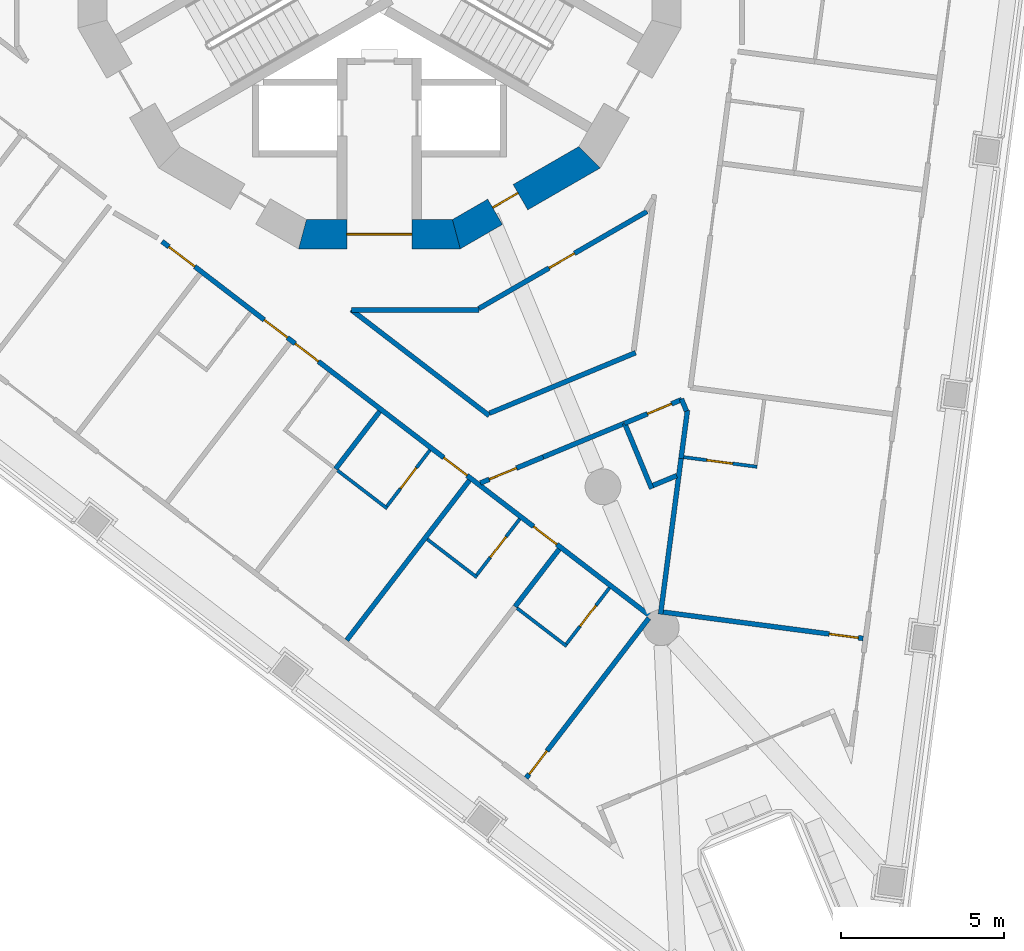
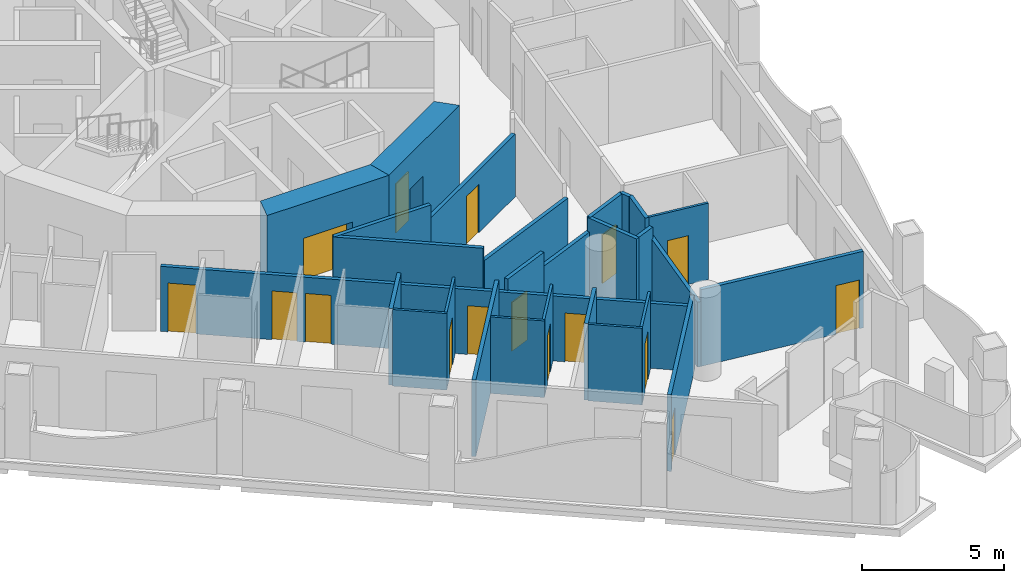
# One storey, part 4 of 17: 27 walls, 16 doors, 16 openings.
"""IFC4 building model written with IfcOpenShell, lengths in metres."""

from ifc_helpers import new_model, si_unit, direction, frame, frame_2d, origin, place, context, subcontext, project, spatial, polyline, rectangle, outline, extrude, material, layer, layer_set, type_object, element, fill, save


model = new_model("IFC4")

# Units and contexts
model_context = context("Model", 3, precision=1e-05, world=origin(), true_north=direction((0.0, 1.0)))
body_context = subcontext(model_context, "Body", "Model", "MODEL_VIEW")
ifc_project = project(units=[si_unit("LENGTHUNIT", "METRE"), si_unit("AREAUNIT", "SQUARE_METRE"), si_unit("VOLUMEUNIT", "CUBIC_METRE"), si_unit("PLANEANGLEUNIT", "RADIAN"), si_unit("MASSUNIT", "GRAM", prefix="KILO")], contexts=[model_context])

# Site, building, storey
site_placement = place(None, origin())
site = spatial("IfcSite", under=ifc_project, at=site_placement, CompositionType="ELEMENT")
building_placement = place(site_placement, origin())
building = spatial("IfcBuilding", under=site, at=building_placement, Name="Trine Commons Tower", CompositionType="ELEMENT")
storey_placement = place(building_placement, frame((0.0, 0.0, 149.39990234375)))
storey = spatial("IfcBuildingStorey", under=building, at=storey_placement, Name="L38", CompositionType="ELEMENT", Elevation=149.39990234375)

# Wall, opening, door
ifc_material_1 = material(Name="Concrete C70/85", Category="concrete")
ifc_layer_1 = layer(ifc_material_1, 0.89990234375)
ifc_layer_set_1 = layer_set([ifc_layer_1], Name="Concrete C70/85")
wall_type_1 = type_object("IfcWallType", Name="RC shear wall 900 mm, C70/85", PredefinedType="SHEAR", material=ifc_layer_set_1)
wall_1_placement = place(storey_placement, frame((77.515380859375, 53.677001953125, 0.0), z_axis=(0.0, 0.0, 1.0), x_axis=(1.0, 0.0, 0.0)))
wall_1 = element("IfcWall", 1, at=wall_1_placement, inside=storey, type_object=wall_type_1, Name="Core wall CWD-10 L38", PredefinedType="SHEAR", context=body_context, shape_type="SweptSolid", body=[
    extrude(outline(polyline([(0.0, -0.449951171875), (4.969482421875, -0.449951171875), (4.728271484375, 0.449951171875), (0.2412109375, 0.449951171875), (0.0, -0.449951171875)])), origin(), (0.0, 0.0, 1.0), 3.60009765625),
])
opening_1_placement = place(wall_1_placement, frame((1.484619140625, 0.0, 0.0)))
opening_1 = element("IfcOpeningElement", 2, at=opening_1_placement, cuts=wall_1, Name="Opening K09.08", PredefinedType="OPENING", context=body_context, shape_type="SweptSolid", body=[
    extrude(rectangle(XDim=2.0, YDim=2.10009765625, at=frame_2d((1.0, 1.050048828125))), frame((0.0, 0.4599609375, 0.0), z_axis=(0.0, -1.0, 0.0), x_axis=(1.0, 0.0, 0.0)), (0.0, 0.0, 1.0), 0.919921875),
])
ifc_material_2 = material(Name="Steel door leaves, fire-rated", Category="steel")
door_type_1 = type_object("IfcDoorType", Name="Lobby door, double leaf 2000 x 2100, FD60", OperationType="DOUBLE_DOOR_SINGLE_SWING", PredefinedType="DOOR", material=ifc_material_2)
door_1_placement = place(opening_1_placement, origin())
door_1 = element("IfcDoor", 3, at=door_1_placement, inside=storey, type_object=door_type_1, Name="Lobby door, Service and firefighting lobby L38", OperationType="DOUBLE_DOOR_SINGLE_SWING", OverallHeight=2.10009765625, OverallWidth=2.0, PredefinedType="DOOR", context=body_context, shape_type="SweptSolid", body=[
    extrude(rectangle(XDim=2.0, YDim=2.10009765625, at=frame_2d((1.0, 1.050048828125))), frame((0.0, 0.02490234375, 0.0), z_axis=(0.0, -1.0, 0.0), x_axis=(1.0, 0.0, 0.0)), (0.0, 0.0, 1.0), 0.050048828125),
])
fill(opening_1, door_1)

wall_2_placement = place(storey_placement, frame((82.259765625, 53.61669921875, 0.0), z_axis=(0.0, 0.0, 1.0), x_axis=(0.866003133579, 0.500038571144, 0.0)))
wall_2 = element("IfcWall", 4, at=wall_2_placement, inside=storey, type_object=wall_type_1, Name="Core wall CWD-11 L38", PredefinedType="SHEAR", context=body_context, shape_type="SweptSolid", body=[
    extrude(outline(polyline([(0.0, -0.449951171875), (4.96923828125, -0.449951171875), (4.72802734375, 0.449951171875), (0.2412109375, 0.449951171875), (0.0, -0.449951171875)])), origin(), (0.0, 0.0, 1.0), 3.60009765625),
])
opening_2_placement = place(wall_2_placement, frame((1.4951171875, 0.0, 0.0)))
opening_2 = element("IfcOpeningElement", 5, at=opening_2_placement, cuts=wall_2, Name="Opening K09.15", PredefinedType="OPENING", context=body_context, shape_type="SweptSolid", body=[
    extrude(rectangle(XDim=0.89990234375, YDim=2.10009765625, at=frame_2d((0.449951171875, 1.050048828125))), frame((0.0, 0.4599609375, 0.0), z_axis=(0.0, -1.0, 0.0), x_axis=(1.0, 0.0, 0.0)), (0.0, 0.0, 1.0), 0.919921875),
])
ifc_material_3 = material(Name="Steel door leaf, fire-rated", Category="steel")
door_type_2 = type_object("IfcDoorType", Name="Core room door, single leaf 900 x 2100, FD30S", OperationType="SINGLE_SWING_LEFT", PredefinedType="DOOR", material=ifc_material_3)
door_2_placement = place(opening_2_placement, origin())
door_2 = element("IfcDoor", 6, at=door_2_placement, inside=storey, type_object=door_type_2, Name="Door to Accessible WC L38", OperationType="SINGLE_SWING_LEFT", OverallHeight=2.10009765625, OverallWidth=0.89990234375, PredefinedType="DOOR", context=body_context, shape_type="SweptSolid", body=[
    extrude(rectangle(XDim=0.89990234375, YDim=2.10009765625, at=frame_2d((0.449951171875, 1.050048828125))), frame((0.0, 0.1748046875, 0.0), z_axis=(0.0, -1.0, 0.0), x_axis=(1.0, 0.0, 0.0)), (0.0, 0.0, 1.0), 0.050048828125),
])
fill(opening_2, door_2)

# Wall, openings, doors
ifc_material_4 = material(Name="Gypsum plasterboard on steel stud", Category="steel")
ifc_layer_2 = layer(ifc_material_4, 0.14990234375)
ifc_layer_set_2 = layer_set([ifc_layer_2], Name="Gypsum plasterboard on steel stud")
wall_type_2 = type_object("IfcWallType", Name="Unit and corridor wall 150 mm, EI 60", PredefinedType="PARTITIONING", material=ifc_layer_set_2)
wall_3_placement = place(storey_placement, frame((73.318115234375, 53.4541015625, 0.0), z_axis=(0.0, 0.0, 1.0), x_axis=(0.793337765411, -0.60878172605, 0.0)))
wall_3 = element("IfcWall", 7, at=wall_3_placement, inside=storey, type_object=wall_type_2, Name="Partition 055", PredefinedType="PARTITIONING", context=body_context, shape_type="SweptSolid", body=[
    extrude(rectangle(XDim=18.994873046875, YDim=0.14990234375, at=frame_2d((9.49755859375, 0.0))), origin(), (0.0, 0.0, 1.0), 2.800048828125),
])
opening_3_placement = place(wall_3_placement, frame((14.39306640625, 0.0, 0.0)))
opening_3 = element("IfcOpeningElement", 8, at=opening_3_placement, cuts=wall_3, Name="Opening D-4C23", PredefinedType="OPENING", context=body_context, shape_type="SweptSolid", body=[
    extrude(rectangle(XDim=0.89990234375, YDim=2.10009765625, at=frame_2d((0.449951171875, 1.050048828125))), frame((0.0, 0.0849609375, 0.0), z_axis=(0.0, -1.0, 0.0), x_axis=(1.0, 0.0, 0.0)), (0.0, 0.0, 1.0), 0.169921875),
])
opening_4_placement = place(wall_3_placement, frame((10.91552734375, 0.0, 0.0)))
opening_4 = element("IfcOpeningElement", 9, at=opening_4_placement, cuts=wall_3, Name="Opening D-4C24", PredefinedType="OPENING", context=body_context, shape_type="SweptSolid", body=[
    extrude(rectangle(XDim=0.89990234375, YDim=2.10009765625, at=frame_2d((0.449951171875, 1.050048828125))), frame((0.0, 0.0849609375, 0.0), z_axis=(0.0, -1.0, 0.0), x_axis=(1.0, 0.0, 0.0)), (0.0, 0.0, 1.0), 0.169921875),
])
opening_5_placement = place(wall_3_placement, frame((5.160400390625, 0.0, 0.0)))
opening_5 = element("IfcOpeningElement", 10, at=opening_5_placement, cuts=wall_3, Name="Opening D-4C25", PredefinedType="OPENING", context=body_context, shape_type="SweptSolid", body=[
    extrude(rectangle(XDim=0.89990234375, YDim=2.10009765625, at=frame_2d((0.449951171875, 1.050048828125))), frame((0.0, 0.0849609375, 0.0), z_axis=(0.0, -1.0, 0.0), x_axis=(1.0, 0.0, 0.0)), (0.0, 0.0, 1.0), 0.169921875),
])
opening_6_placement = place(wall_3_placement, frame((3.960205078125, 0.0, 0.0)))
opening_6 = element("IfcOpeningElement", 11, at=opening_6_placement, cuts=wall_3, Name="Opening D-4C26", PredefinedType="OPENING", context=body_context, shape_type="SweptSolid", body=[
    extrude(rectangle(XDim=0.89990234375, YDim=2.10009765625, at=frame_2d((0.449951171875, 1.050048828125))), frame((0.0, 0.0849609375, 0.0), z_axis=(0.0, -1.0, 0.0), x_axis=(1.0, 0.0, 0.0)), (0.0, 0.0, 1.0), 0.169921875),
])
opening_7_placement = place(wall_3_placement, frame((0.266357421875, 0.0, 0.0)))
opening_7 = element("IfcOpeningElement", 12, at=opening_7_placement, cuts=wall_3, Name="Opening D-4C27", PredefinedType="OPENING", context=body_context, shape_type="SweptSolid", body=[
    extrude(rectangle(XDim=1.0, YDim=2.10009765625, at=frame_2d((0.5, 1.050048828125))), frame((0.0, 0.0849609375, 0.0), z_axis=(0.0, -1.0, 0.0), x_axis=(1.0, 0.0, 0.0)), (0.0, 0.0, 1.0), 0.169921875),
])
ifc_material_5 = material(Name="Painted timber", Category="wood")
door_type_3 = type_object("IfcDoorType", Name="Amenity room door 1000 x 2100, NOT RATED", OperationType="NOTDEFINED", PredefinedType="DOOR", material=ifc_material_5)
door_3_placement = place(opening_7_placement, frame((1.0, 0.0, 0.0), z_axis=(0.0, 0.0, 1.0), x_axis=(-1.0, 0.0, 0.0)))
door_3 = element("IfcDoor", 13, at=door_3_placement, inside=storey, type_object=door_type_3, Name="Door D-4C27", OperationType="SINGLE_SWING_RIGHT", OverallHeight=2.10009765625, OverallWidth=1.0, PredefinedType="DOOR", context=body_context, shape_type="SweptSolid", body=[
    extrude(rectangle(XDim=1.0, YDim=2.10009765625, at=frame_2d((0.5, 1.050048828125))), frame((0.0, 0.02490234375, 0.0), z_axis=(0.0, -1.0, 0.0), x_axis=(1.0, 0.0, 0.0)), (0.0, 0.0, 1.0), 0.050048828125),
])
fill(opening_7, door_3)
ifc_material_6 = material(Name="Timber fire door set", Category="wood")
door_type_4 = type_object("IfcDoorType", Name="Bedroom door 900 x 2100, FD30S", OperationType="NOTDEFINED", PredefinedType="DOOR", material=ifc_material_6)
door_4_placement = place(opening_3_placement, frame((0.89990234375, 0.0, 0.0), z_axis=(0.0, 0.0, 1.0), x_axis=(-1.0, 0.0, 0.0)))
door_4 = element("IfcDoor", 14, at=door_4_placement, inside=storey, type_object=door_type_4, Name="Door D-4C23", OperationType="SINGLE_SWING_LEFT", OverallHeight=2.10009765625, OverallWidth=0.89990234375, PredefinedType="DOOR", context=body_context, shape_type="SweptSolid", body=[
    extrude(rectangle(XDim=0.89990234375, YDim=2.10009765625, at=frame_2d((0.449951171875, 1.050048828125))), frame((0.0, 0.02490234375, 0.0), z_axis=(0.0, -1.0, 0.0), x_axis=(1.0, 0.0, 0.0)), (0.0, 0.0, 1.0), 0.050048828125),
])
fill(opening_3, door_4)
door_5_placement = place(opening_4_placement, frame((0.89990234375, 0.0, 0.0), z_axis=(0.0, 0.0, 1.0), x_axis=(-1.0, 0.0, 0.0)))
door_5 = element("IfcDoor", 15, at=door_5_placement, inside=storey, type_object=door_type_4, Name="Door D-4C24", OperationType="SINGLE_SWING_LEFT", OverallHeight=2.10009765625, OverallWidth=0.89990234375, PredefinedType="DOOR", context=body_context, shape_type="SweptSolid", body=[
    extrude(rectangle(XDim=0.89990234375, YDim=2.10009765625, at=frame_2d((0.449951171875, 1.050048828125))), frame((0.0, 0.02490234375, 0.0), z_axis=(0.0, -1.0, 0.0), x_axis=(1.0, 0.0, 0.0)), (0.0, 0.0, 1.0), 0.050048828125),
])
fill(opening_4, door_5)
door_6_placement = place(opening_5_placement, frame((0.89990234375, 0.0, 0.0), z_axis=(0.0, 0.0, 1.0), x_axis=(-1.0, 0.0, 0.0)))
door_6 = element("IfcDoor", 16, at=door_6_placement, inside=storey, type_object=door_type_4, Name="Door D-4C25", OperationType="SINGLE_SWING_RIGHT", OverallHeight=2.10009765625, OverallWidth=0.89990234375, PredefinedType="DOOR", context=body_context, shape_type="SweptSolid", body=[
    extrude(rectangle(XDim=0.89990234375, YDim=2.10009765625, at=frame_2d((0.449951171875, 1.050048828125))), frame((0.0, 0.02490234375, 0.0), z_axis=(0.0, -1.0, 0.0), x_axis=(1.0, 0.0, 0.0)), (0.0, 0.0, 1.0), 0.050048828125),
])
fill(opening_5, door_6)
door_7_placement = place(opening_6_placement, frame((0.89990234375, 0.0, 0.0), z_axis=(0.0, 0.0, 1.0), x_axis=(-1.0, 0.0, 0.0)))
door_7 = element("IfcDoor", 17, at=door_7_placement, inside=storey, type_object=door_type_4, Name="Door D-4C26", OperationType="SINGLE_SWING_RIGHT", OverallHeight=2.10009765625, OverallWidth=0.89990234375, PredefinedType="DOOR", context=body_context, shape_type="SweptSolid", body=[
    extrude(rectangle(XDim=0.89990234375, YDim=2.10009765625, at=frame_2d((0.449951171875, 1.050048828125))), frame((0.0, 0.02490234375, 0.0), z_axis=(0.0, -1.0, 0.0), x_axis=(1.0, 0.0, 0.0)), (0.0, 0.0, 1.0), 0.050048828125),
])
fill(opening_6, door_7)

# Walls
wall_4_placement = place(storey_placement, frame((78.652099609375, 46.4619140625, 0.0), z_axis=(0.0, 0.0, 1.0), x_axis=(0.608601979206, 0.793475664975, 0.0)))
element("IfcWall", 18, at=wall_4_placement, inside=storey, type_object=wall_type_2, Name="Partition 067", PredefinedType="PARTITIONING", context=body_context, shape_type="SweptSolid", body=[
    extrude(rectangle(XDim=2.22509765625, YDim=0.14990234375, at=frame_2d((1.112548828125, 0.0))), origin(), (0.0, 0.0, 1.0), 3.300048828125),
])
wall_5_placement = place(storey_placement, frame((78.994384765625, 41.19677734375, 0.0), z_axis=(0.0, 0.0, 1.0), x_axis=(0.608811285709, 0.79331508141, 0.0)))
element("IfcWall", 19, at=wall_5_placement, inside=storey, type_object=wall_type_2, Name="Partition 069", PredefinedType="PARTITIONING", context=body_context, shape_type="SweptSolid", body=[
    extrude(rectangle(XDim=6.194091796875, YDim=0.14990234375, at=frame_2d((3.09716796875, 0.0))), origin(), (0.0, 0.0, 1.0), 3.300048828125),
])
wall_6_placement = place(storey_placement, frame((79.134033203125, 51.35205078125, 0.0), z_axis=(0.0, 0.0, 1.0), x_axis=(1.0, 0.0, 0.0)))
element("IfcWall", 20, at=wall_6_placement, inside=storey, type_object=wall_type_2, Name="Partition 070", PredefinedType="PARTITIONING", context=body_context, shape_type="SweptSolid", body=[
    extrude(rectangle(XDim=3.927978515625, YDim=0.14990234375, at=frame_2d((1.9638671875, 0.0))), origin(), (0.0, 0.0, 1.0), 3.300048828125),
])
wall_7_placement = place(storey_placement, frame((79.137939453125, 51.35205078125, 0.0), z_axis=(0.0, 0.0, 1.0), x_axis=(0.793274409151, -0.608864280268, 0.0)))
element("IfcWall", 21, at=wall_7_placement, inside=storey, type_object=wall_type_2, Name="Partition 071", PredefinedType="PARTITIONING", context=body_context, shape_type="SweptSolid", body=[
    extrude(rectangle(XDim=5.340576171875, YDim=0.14990234375, at=frame_2d((2.67041015625, 0.0))), origin(), (0.0, 0.0, 1.0), 3.300048828125),
])

# Wall, opening, door
wall_8_placement = place(storey_placement, frame((83.052001953125, 51.389404296875, 0.0), z_axis=(0.0, 0.0, 1.0), x_axis=(0.866039280689, 0.499975963725, 0.0)))
wall_8 = element("IfcWall", 22, at=wall_8_placement, inside=storey, type_object=wall_type_2, Name="Partition 083", PredefinedType="PARTITIONING", context=body_context, shape_type="SweptSolid", body=[
    extrude(rectangle(XDim=5.974365234375, YDim=0.14990234375, at=frame_2d((2.9873046875, 0.0))), origin(), (0.0, 0.0, 1.0), 2.7001953125),
])
opening_8_placement = place(wall_8_placement, frame((2.499755859375, 0.0, 0.0)))
opening_8 = element("IfcOpeningElement", 23, at=opening_8_placement, cuts=wall_8, Name="Opening D-4C33", PredefinedType="OPENING", context=body_context, shape_type="SweptSolid", body=[
    extrude(rectangle(XDim=0.89990234375, YDim=2.10009765625, at=frame_2d((0.449951171875, 1.050048828125))), frame((0.0, 0.0849609375, 0.0), z_axis=(0.0, -1.0, 0.0), x_axis=(1.0, 0.0, 0.0)), (0.0, 0.0, 1.0), 0.169921875),
])
door_type_5 = type_object("IfcDoorType", Name="Service door 900 x 2100, FD30S", OperationType="NOTDEFINED", PredefinedType="DOOR", material=ifc_material_6)
door_8_placement = place(opening_8_placement, frame((0.89990234375, 0.0, 0.0), z_axis=(0.0, 0.0, 1.0), x_axis=(-1.0, 0.0, 0.0)))
door_8 = element("IfcDoor", 24, at=door_8_placement, inside=storey, type_object=door_type_5, Name="Door D-4C33", OperationType="SINGLE_SWING_RIGHT", OverallHeight=2.10009765625, OverallWidth=0.89990234375, PredefinedType="DOOR", context=body_context, shape_type="SweptSolid", body=[
    extrude(rectangle(XDim=0.89990234375, YDim=2.10009765625, at=frame_2d((0.449951171875, 1.050048828125))), frame((0.0, 0.02490234375, 0.0), z_axis=(0.0, -1.0, 0.0), x_axis=(1.0, 0.0, 0.0)), (0.0, 0.0, 1.0), 0.050048828125),
])
fill(opening_8, door_8)

wall_9_placement = place(storey_placement, frame((83.102294921875, 46.02880859375, 0.0), z_axis=(0.0, 0.0, 1.0), x_axis=(0.923986937012, 0.382424031973, 0.0)))
wall_9 = element("IfcWall", 25, at=wall_9_placement, inside=storey, type_object=wall_type_2, Name="Partition 085", PredefinedType="PARTITIONING", context=body_context, shape_type="SweptSolid", body=[
    extrude(rectangle(XDim=2.089599609375, YDim=0.14990234375, at=frame_2d((1.044921875, 0.0))), origin(), (0.0, 0.0, 1.0), 3.300048828125),
])
opening_9_placement = place(wall_9_placement, frame((0.2978515625, 0.0, 0.0)))
opening_9 = element("IfcOpeningElement", 26, at=opening_9_placement, cuts=wall_9, Name="Opening D-4C02", PredefinedType="OPENING", context=body_context, shape_type="SweptSolid", body=[
    extrude(rectangle(XDim=0.89990234375, YDim=2.10009765625, at=frame_2d((0.449951171875, 1.050048828125))), frame((0.0, 0.0849609375, 0.0), z_axis=(0.0, -1.0, 0.0), x_axis=(1.0, 0.0, 0.0)), (0.0, 0.0, 1.0), 0.169921875),
])
door_type_6 = type_object("IfcDoorType", Name="Cluster entrance door 900 x 2100, FD30S", OperationType="NOTDEFINED", PredefinedType="DOOR", material=ifc_material_6)
door_9_placement = place(opening_9_placement, frame((0.89990234375, 0.0, 0.0), z_axis=(0.0, 0.0, 1.0), x_axis=(-1.0, 0.0, 0.0)))
door_9 = element("IfcDoor", 27, at=door_9_placement, inside=storey, type_object=door_type_6, Name="Door D-4C02", OperationType="SINGLE_SWING_RIGHT", OverallHeight=2.10009765625, OverallWidth=0.89990234375, PredefinedType="DOOR", context=body_context, shape_type="SweptSolid", body=[
    extrude(rectangle(XDim=0.89990234375, YDim=2.10009765625, at=frame_2d((0.449951171875, 1.050048828125))), frame((0.0, 0.02490234375, 0.0), z_axis=(0.0, -1.0, 0.0), x_axis=(1.0, 0.0, 0.0)), (0.0, 0.0, 1.0), 0.050048828125),
])
fill(opening_9, door_9)

# Walls
wall_10_placement = place(storey_placement, frame((83.38427734375, 48.1748046875, 0.0), z_axis=(0.0, 0.0, 1.0), x_axis=(0.923876009177, 0.382691938335, 0.0)))
element("IfcWall", 28, at=wall_10_placement, inside=storey, type_object=wall_type_2, Name="Partition 086", PredefinedType="PARTITIONING", context=body_context, shape_type="SweptSolid", body=[
    extrude(rectangle(XDim=4.85986328125, YDim=0.14990234375, at=frame_2d((2.429931640625, 0.0))), origin(), (0.0, 0.0, 1.0), 2.7001953125),
])
wall_11_placement = place(storey_placement, frame((84.1689453125, 42.22900390625, 0.0), z_axis=(0.0, 0.0, 1.0), x_axis=(0.609212171412, 0.793007269956, 0.0)))
element("IfcWall", 29, at=wall_11_placement, inside=storey, type_object=wall_type_2, Name="Partition 088", PredefinedType="PARTITIONING", context=body_context, shape_type="SweptSolid", body=[
    extrude(rectangle(XDim=2.224853515625, YDim=0.14990234375, at=frame_2d((1.1123046875, 0.0))), origin(), (0.0, 0.0, 1.0), 3.300048828125),
])

# Wall, opening, door
wall_12_placement = place(storey_placement, frame((84.51220703125, 36.962646484375, 0.0), z_axis=(0.0, 0.0, 1.0), x_axis=(0.608712047114, 0.79339122991, 0.0)))
wall_12 = element("IfcWall", 30, at=wall_12_placement, inside=storey, type_object=wall_type_2, Name="Partition 090", PredefinedType="PARTITIONING", context=body_context, shape_type="SweptSolid", body=[
    extrude(rectangle(XDim=6.193359375, YDim=0.14990234375, at=frame_2d((3.0966796875, 0.0))), origin(), (0.0, 0.0, 1.0), 3.300048828125),
])
opening_10_placement = place(wall_12_placement, frame((0.14990234375, 0.0, 0.0)))
opening_10 = element("IfcOpeningElement", 31, at=opening_10_placement, cuts=wall_12, Name="Opening D-4C22", PredefinedType="OPENING", context=body_context, shape_type="SweptSolid", body=[
    extrude(rectangle(XDim=0.89990234375, YDim=2.10009765625, at=frame_2d((0.449951171875, 1.050048828125))), frame((0.0, 0.0849609375, 0.0), z_axis=(0.0, -1.0, 0.0), x_axis=(1.0, 0.0, 0.0)), (0.0, 0.0, 1.0), 0.169921875),
])
door_10_placement = place(opening_10_placement, origin())
door_10 = element("IfcDoor", 32, at=door_10_placement, inside=storey, type_object=door_type_4, Name="Door D-4C22", OperationType="SINGLE_SWING_LEFT", OverallHeight=2.10009765625, OverallWidth=0.89990234375, PredefinedType="DOOR", context=body_context, shape_type="SweptSolid", body=[
    extrude(rectangle(XDim=0.89990234375, YDim=2.10009765625, at=frame_2d((0.449951171875, 1.050048828125))), frame((0.0, 0.02490234375, 0.0), z_axis=(0.0, -1.0, 0.0), x_axis=(1.0, 0.0, 0.0)), (0.0, 0.0, 1.0), 0.050048828125),
])
fill(opening_10, door_10)

# Wall
wall_13_placement = place(storey_placement, frame((85.032958984375, 46.827880859375, 0.0), z_axis=(0.0, 0.0, 1.0), x_axis=(0.923769467477, 0.382949044857, 0.0)))
element("IfcWall", 33, at=wall_13_placement, inside=storey, type_object=wall_type_2, Name="Partition 092", PredefinedType="PARTITIONING", context=body_context, shape_type="SweptSolid", body=[
    extrude(rectangle(XDim=2.695556640625, YDim=0.14990234375, at=frame_2d((1.34765625, 0.0))), origin(), (0.0, 0.0, 1.0), 2.7001953125),
])

# Wall, opening, door
wall_14_placement = place(storey_placement, frame((87.532958984375, 47.864013671875, 0.0), z_axis=(0.0, 0.0, 1.0), x_axis=(0.923851437131, 0.382751253571, 0.0)))
wall_14 = element("IfcWall", 34, at=wall_14_placement, inside=storey, type_object=wall_type_2, Name="Partition 098", PredefinedType="PARTITIONING", context=body_context, shape_type="SweptSolid", body=[
    extrude(rectangle(XDim=1.9072265625, YDim=0.14990234375, at=frame_2d((0.95361328125, 0.0))), origin(), (0.0, 0.0, 1.0), 3.300048828125),
])
opening_11_placement = place(wall_14_placement, frame((0.764892578125, 0.0, 0.0)))
opening_11 = element("IfcOpeningElement", 35, at=opening_11_placement, cuts=wall_14, Name="Opening D-4C04", PredefinedType="OPENING", context=body_context, shape_type="SweptSolid", body=[
    extrude(rectangle(XDim=0.800048828125, YDim=2.10009765625, at=frame_2d((0.39990234375, 1.050048828125))), frame((0.0, 0.0849609375, 0.0), z_axis=(0.0, -1.0, 0.0), x_axis=(1.0, 0.0, 0.0)), (0.0, 0.0, 1.0), 0.169921875),
])
door_type_7 = type_object("IfcDoorType", Name="Toilet door 800 x 2100, NOT RATED", OperationType="NOTDEFINED", PredefinedType="DOOR", material=ifc_material_5)
door_11_placement = place(opening_11_placement, frame((0.800048828125, 0.0, 0.0), z_axis=(0.0, 0.0, 1.0), x_axis=(-1.0, 0.0, 0.0)))
door_11 = element("IfcDoor", 36, at=door_11_placement, inside=storey, type_object=door_type_7, Name="Door D-4C04", OperationType="SINGLE_SWING_LEFT", OverallHeight=2.10009765625, OverallWidth=0.800048828125, PredefinedType="DOOR", context=body_context, shape_type="SweptSolid", body=[
    extrude(rectangle(XDim=0.800048828125, YDim=2.10009765625, at=frame_2d((0.39990234375, 1.050048828125))), frame((0.0, 0.02490234375, 0.0), z_axis=(0.0, -1.0, 0.0), x_axis=(1.0, 0.0, 0.0)), (0.0, 0.0, 1.0), 0.050048828125),
])
fill(opening_11, door_11)

# Walls
wall_15_placement = place(storey_placement, frame((87.537109375, 47.864990234375, 0.0), z_axis=(0.0, 0.0, 1.0), x_axis=(0.382398068784, -0.923997682351, 0.0)))
element("IfcWall", 37, at=wall_15_placement, inside=storey, type_object=wall_type_2, Name="Partition 099", PredefinedType="PARTITIONING", context=body_context, shape_type="SweptSolid", body=[
    extrude(rectangle(XDim=2.174560546875, YDim=0.14990234375, at=frame_2d((1.08740234375, 0.0))), origin(), (0.0, 0.0, 1.0), 3.300048828125),
])
wall_16_placement = place(storey_placement, frame((88.4091796875, 45.95361328125, 0.0), z_axis=(0.0, 0.0, 1.0), x_axis=(0.92369931044, 0.383118237484, 0.0)))
element("IfcWall", 38, at=wall_16_placement, inside=storey, type_object=wall_type_2, Name="Partition 105", PredefinedType="PARTITIONING", context=body_context, shape_type="SweptSolid", body=[
    extrude(rectangle(XDim=0.78759765625, YDim=0.14990234375, at=frame_2d((0.393798828125, 0.0))), origin(), (0.0, 0.0, 1.0), 3.300048828125),
])
wall_17_placement = place(storey_placement, frame((88.64111328125, 41.99560546875, 0.0), z_axis=(0.0, 0.0, 1.0), x_axis=(0.130614848927, 0.991433185464, 0.0)))
element("IfcWall", 39, at=wall_17_placement, inside=storey, type_object=wall_type_2, Name="Partition 106", PredefinedType="PARTITIONING", context=body_context, shape_type="SweptSolid", body=[
    extrude(rectangle(XDim=4.884033203125, YDim=0.14990234375, at=frame_2d((2.44189453125, 0.0))), origin(), (0.0, 0.0, 1.0), 2.800048828125),
])

# Wall, opening, door
wall_18_placement = place(storey_placement, frame((88.725341796875, 42.060302734375, 0.0), z_axis=(0.0, 0.0, 1.0), x_axis=(0.991454966236, -0.130449415202, 0.0)))
wall_18 = element("IfcWall", 40, at=wall_18_placement, inside=storey, type_object=wall_type_2, Name="Partition 107", PredefinedType="PARTITIONING", context=body_context, shape_type="SweptSolid", body=[
    extrude(rectangle(XDim=6.19482421875, YDim=0.14990234375, at=frame_2d((3.097412109375, 0.0))), origin(), (0.0, 0.0, 1.0), 3.300048828125),
])
opening_12_placement = place(wall_18_placement, frame((5.14501953125, 0.0, 0.0)))
opening_12 = element("IfcOpeningElement", 41, at=opening_12_placement, cuts=wall_18, Name="Opening D-4C21", PredefinedType="OPENING", context=body_context, shape_type="SweptSolid", body=[
    extrude(rectangle(XDim=0.89990234375, YDim=2.10009765625, at=frame_2d((0.449951171875, 1.050048828125))), frame((0.0, 0.0849609375, 0.0), z_axis=(0.0, -1.0, 0.0), x_axis=(1.0, 0.0, 0.0)), (0.0, 0.0, 1.0), 0.169921875),
])
door_12_placement = place(opening_12_placement, origin())
door_12 = element("IfcDoor", 42, at=door_12_placement, inside=storey, type_object=door_type_4, Name="Door D-4C21", OperationType="SINGLE_SWING_RIGHT", OverallHeight=2.10009765625, OverallWidth=0.89990234375, PredefinedType="DOOR", context=body_context, shape_type="SweptSolid", body=[
    extrude(rectangle(XDim=0.89990234375, YDim=2.10009765625, at=frame_2d((0.449951171875, 1.050048828125))), frame((0.0, 0.02490234375, 0.0), z_axis=(0.0, -1.0, 0.0), x_axis=(1.0, 0.0, 0.0)), (0.0, 0.0, 1.0), 0.050048828125),
])
fill(opening_12, door_12)

# Walls
wall_19_placement = place(storey_placement, frame((89.271484375, 46.780517578125, 0.0), z_axis=(0.0, 0.0, 1.0), x_axis=(0.130968577384, 0.991386519849, 0.0)))
element("IfcWall", 43, at=wall_19_placement, inside=storey, type_object=wall_type_2, Name="Partition 109", PredefinedType="PARTITIONING", context=body_context, shape_type="SweptSolid", body=[
    extrude(rectangle(XDim=1.498779296875, YDim=0.14990234375, at=frame_2d((0.74951171875, 0.0))), origin(), (0.0, 0.0, 1.0), 3.300048828125),
])
wall_20_placement = place(storey_placement, frame((89.283935546875, 48.611328125, 0.0), z_axis=(0.0, 0.0, 1.0), x_axis=(0.383358021714, -0.923599819829, 0.0)))
element("IfcWall", 44, at=wall_20_placement, inside=storey, type_object=wall_type_2, Name="Partition 111", PredefinedType="PARTITIONING", context=body_context, shape_type="SweptSolid", body=[
    extrude(rectangle(XDim=0.39990234375, YDim=0.14990234375, at=frame_2d((0.199951171875, 0.0))), origin(), (0.0, 0.0, 1.0), 3.300048828125),
])
ifc_layer_3 = layer(ifc_material_4, 0.10009765625)
ifc_layer_set_3 = layer_set([ifc_layer_3], Name="Gypsum plasterboard on steel stud")
wall_type_3 = type_object("IfcWallType", Name="Unit partition 100 mm, no rating", PredefinedType="PARTITIONING", material=ifc_layer_set_3)
wall_21_placement = place(storey_placement, frame((78.71142578125, 46.416259765625, 0.0), z_axis=(0.0, 0.0, 1.0), x_axis=(0.793438942522, -0.608649853766, 0.0)))
element("IfcWall", 45, at=wall_21_placement, inside=storey, type_object=wall_type_3, Name="Partition 068", PredefinedType="PARTITIONING", context=body_context, shape_type="SweptSolid", body=[
    extrude(rectangle(XDim=1.925048828125, YDim=0.10009765625, at=frame_2d((0.96240234375, 0.0))), origin(), (0.0, 0.0, 1.0), 3.300048828125),
])

# Wall, opening, door
wall_22_placement = place(storey_placement, frame((80.2294921875, 45.314697265625, 0.0), z_axis=(0.0, 0.0, 1.0), x_axis=(0.608674216197, 0.79342025342, 0.0)))
wall_22 = element("IfcWall", 46, at=wall_22_placement, inside=storey, type_object=wall_type_3, Name="Partition 074", PredefinedType="PARTITIONING", context=body_context, shape_type="SweptSolid", body=[
    extrude(rectangle(XDim=2.17529296875, YDim=0.10009765625, at=frame_2d((1.087646484375, 0.0))), origin(), (0.0, 0.0, 1.0), 3.300048828125),
])
opening_13_placement = place(wall_22_placement, frame((0.6875, 0.0, 0.0)))
opening_13 = element("IfcOpeningElement", 47, at=opening_13_placement, cuts=wall_22, Name="Opening D-4C55", PredefinedType="OPENING", context=body_context, shape_type="SweptSolid", body=[
    extrude(rectangle(XDim=0.800048828125, YDim=2.10009765625, at=frame_2d((0.39990234375, 1.050048828125))), frame((0.0, 0.06005859375, 0.0), z_axis=(0.0, -1.0, 0.0), x_axis=(1.0, 0.0, 0.0)), (0.0, 0.0, 1.0), 0.1201171875),
])
door_type_8 = type_object("IfcDoorType", Name="Internal door 800 x 2100, NOT RATED", OperationType="NOTDEFINED", PredefinedType="DOOR", material=ifc_material_5)
door_13_placement = place(opening_13_placement, frame((0.800048828125, 0.0, 0.0), z_axis=(0.0, 0.0, 1.0), x_axis=(-1.0, 0.0, 0.0)))
door_13 = element("IfcDoor", 48, at=door_13_placement, inside=storey, type_object=door_type_8, Name="Door D-4C55", OperationType="SINGLE_SWING_LEFT", OverallHeight=2.10009765625, OverallWidth=0.800048828125, PredefinedType="DOOR", context=body_context, shape_type="SweptSolid", body=[
    extrude(rectangle(XDim=0.800048828125, YDim=2.10009765625, at=frame_2d((0.39990234375, 1.050048828125))), frame((0.0, 0.02490234375, 0.0), z_axis=(0.0, -1.0, 0.0), x_axis=(1.0, 0.0, 0.0)), (0.0, 0.0, 1.0), 0.050048828125),
])
fill(opening_13, door_13)

# Wall
wall_23_placement = place(storey_placement, frame((81.470458984375, 44.30029296875, 0.0), z_axis=(0.0, 0.0, 1.0), x_axis=(0.793132716202, -0.609048844092, 0.0)))
element("IfcWall", 49, at=wall_23_placement, inside=storey, type_object=wall_type_3, Name="Partition 078", PredefinedType="PARTITIONING", context=body_context, shape_type="SweptSolid", body=[
    extrude(rectangle(XDim=1.92578125, YDim=0.10009765625, at=frame_2d((0.962890625, 0.0))), origin(), (0.0, 0.0, 1.0), 3.300048828125),
])

# Wall, opening, door
wall_24_placement = place(storey_placement, frame((82.98828125, 43.19775390625, 0.0), z_axis=(0.0, 0.0, 1.0), x_axis=(0.608744865415, 0.793366049709, 0.0)))
wall_24 = element("IfcWall", 50, at=wall_24_placement, inside=storey, type_object=wall_type_3, Name="Partition 082", PredefinedType="PARTITIONING", context=body_context, shape_type="SweptSolid", body=[
    extrude(rectangle(XDim=2.17529296875, YDim=0.10009765625, at=frame_2d((1.087646484375, 0.0))), origin(), (0.0, 0.0, 1.0), 3.300048828125),
])
opening_14_placement = place(wall_24_placement, frame((0.6875, 0.0, 0.0)))
opening_14 = element("IfcOpeningElement", 51, at=opening_14_placement, cuts=wall_24, Name="Opening D-4C54", PredefinedType="OPENING", context=body_context, shape_type="SweptSolid", body=[
    extrude(rectangle(XDim=0.800048828125, YDim=2.10009765625, at=frame_2d((0.39990234375, 1.050048828125))), frame((0.0, 0.06005859375, 0.0), z_axis=(0.0, -1.0, 0.0), x_axis=(1.0, 0.0, 0.0)), (0.0, 0.0, 1.0), 0.1201171875),
])
door_14_placement = place(opening_14_placement, frame((0.800048828125, 0.0, 0.0), z_axis=(0.0, 0.0, 1.0), x_axis=(-1.0, 0.0, 0.0)))
door_14 = element("IfcDoor", 52, at=door_14_placement, inside=storey, type_object=door_type_8, Name="Door D-4C54", OperationType="SINGLE_SWING_LEFT", OverallHeight=2.10009765625, OverallWidth=0.800048828125, PredefinedType="DOOR", context=body_context, shape_type="SweptSolid", body=[
    extrude(rectangle(XDim=0.800048828125, YDim=2.10009765625, at=frame_2d((0.39990234375, 1.050048828125))), frame((0.0, 0.02490234375, 0.0), z_axis=(0.0, -1.0, 0.0), x_axis=(1.0, 0.0, 0.0)), (0.0, 0.0, 1.0), 0.050048828125),
])
fill(opening_14, door_14)

# Wall
wall_25_placement = place(storey_placement, frame((84.228515625, 42.183349609375, 0.0), z_axis=(0.0, 0.0, 1.0), x_axis=(0.793391951231, -0.608711106948, 0.0)))
element("IfcWall", 53, at=wall_25_placement, inside=storey, type_object=wall_type_3, Name="Partition 089", PredefinedType="PARTITIONING", context=body_context, shape_type="SweptSolid", body=[
    extrude(rectangle(XDim=1.9248046875, YDim=0.10009765625, at=frame_2d((0.96240234375, 0.0))), origin(), (0.0, 0.0, 1.0), 3.300048828125),
])

# Wall, opening, door
wall_26_placement = place(storey_placement, frame((85.74658203125, 41.081787109375, 0.0), z_axis=(0.0, 0.0, 1.0), x_axis=(0.60915721009, 0.793049489878, 0.0)))
wall_26 = element("IfcWall", 54, at=wall_26_placement, inside=storey, type_object=wall_type_3, Name="Partition 093", PredefinedType="PARTITIONING", context=body_context, shape_type="SweptSolid", body=[
    extrude(rectangle(XDim=2.174560546875, YDim=0.10009765625, at=frame_2d((1.08740234375, 0.0))), origin(), (0.0, 0.0, 1.0), 3.300048828125),
])
opening_15_placement = place(wall_26_placement, frame((0.6875, 0.0, 0.0)))
opening_15 = element("IfcOpeningElement", 55, at=opening_15_placement, cuts=wall_26, Name="Opening D-4C53", PredefinedType="OPENING", context=body_context, shape_type="SweptSolid", body=[
    extrude(rectangle(XDim=0.800048828125, YDim=2.10009765625, at=frame_2d((0.39990234375, 1.050048828125))), frame((0.0, 0.06005859375, 0.0), z_axis=(0.0, -1.0, 0.0), x_axis=(1.0, 0.0, 0.0)), (0.0, 0.0, 1.0), 0.1201171875),
])
door_15_placement = place(opening_15_placement, frame((0.800048828125, 0.0, 0.0), z_axis=(0.0, 0.0, 1.0), x_axis=(-1.0, 0.0, 0.0)))
door_15 = element("IfcDoor", 56, at=door_15_placement, inside=storey, type_object=door_type_8, Name="Door D-4C53", OperationType="SINGLE_SWING_LEFT", OverallHeight=2.10009765625, OverallWidth=0.800048828125, PredefinedType="DOOR", context=body_context, shape_type="SweptSolid", body=[
    extrude(rectangle(XDim=0.800048828125, YDim=2.10009765625, at=frame_2d((0.39990234375, 1.050048828125))), frame((0.0, 0.02490234375, 0.0), z_axis=(0.0, -1.0, 0.0), x_axis=(1.0, 0.0, 0.0)), (0.0, 0.0, 1.0), 0.050048828125),
])
fill(opening_15, door_15)

wall_27_placement = place(storey_placement, frame((89.353515625, 46.82421875, 0.0), z_axis=(0.0, 0.0, 1.0), x_axis=(0.991459774706, -0.130412864162, 0.0)))
wall_27 = element("IfcWall", 57, at=wall_27_placement, inside=storey, type_object=wall_type_3, Name="Partition 110", PredefinedType="PARTITIONING", context=body_context, shape_type="SweptSolid", body=[
    extrude(rectangle(XDim=2.274658203125, YDim=0.10009765625, at=frame_2d((1.13720703125, 0.0))), origin(), (0.0, 0.0, 1.0), 3.300048828125),
])
opening_16_placement = place(wall_27_placement, frame((0.71240234375, 0.0, 0.0)))
opening_16 = element("IfcOpeningElement", 58, at=opening_16_placement, cuts=wall_27, Name="Opening D-4C52", PredefinedType="OPENING", context=body_context, shape_type="SweptSolid", body=[
    extrude(rectangle(XDim=0.800048828125, YDim=2.10009765625, at=frame_2d((0.39990234375, 1.050048828125))), frame((0.0, 0.06005859375, 0.0), z_axis=(0.0, -1.0, 0.0), x_axis=(1.0, 0.0, 0.0)), (0.0, 0.0, 1.0), 0.1201171875),
])
door_16_placement = place(opening_16_placement, frame((0.800048828125, 0.0, 0.0), z_axis=(0.0, 0.0, 1.0), x_axis=(-1.0, 0.0, 0.0)))
door_16 = element("IfcDoor", 59, at=door_16_placement, inside=storey, type_object=door_type_8, Name="Door D-4C52", OperationType="SINGLE_SWING_RIGHT", OverallHeight=2.10009765625, OverallWidth=0.800048828125, PredefinedType="DOOR", context=body_context, shape_type="SweptSolid", body=[
    extrude(rectangle(XDim=0.800048828125, YDim=2.10009765625, at=frame_2d((0.39990234375, 1.050048828125))), frame((0.0, 0.02490234375, 0.0), z_axis=(0.0, -1.0, 0.0), x_axis=(1.0, 0.0, 0.0)), (0.0, 0.0, 1.0), 0.050048828125),
])
fill(opening_16, door_16)

save(model, "model.ifc")
